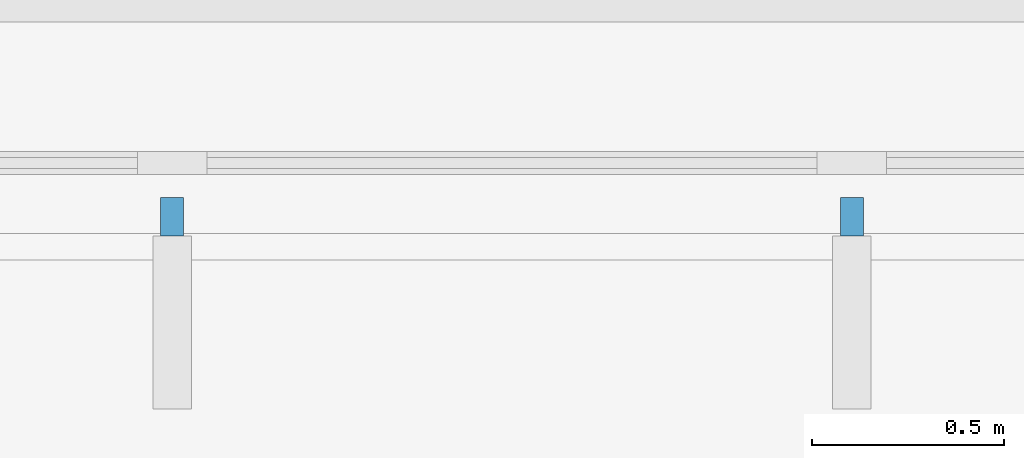
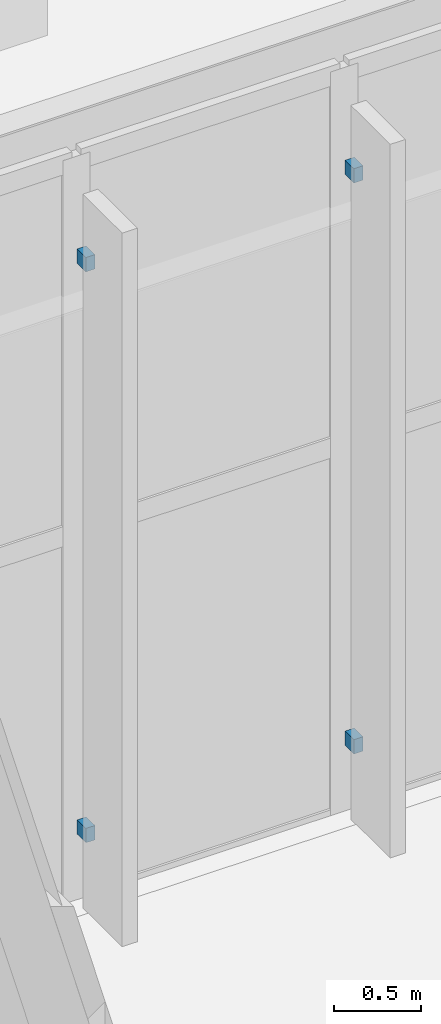
# One storey, part 74 of 94: 4 discrete accessories.
"""IFC4 building model written with IfcOpenShell, lengths in metres."""

from ifc_helpers import new_model, si_unit, direction, frame, origin, origin_2d, place, context, subcontext, project, spatial, rectangle, extrude, material, type_object, element, save


model = new_model("IFC4")

# Units and contexts
model_context = context("Model", 3, precision=1e-05, world=origin(), true_north=direction((0.0, 1.0)))
body_context = subcontext(model_context, "Body", "Model", "MODEL_VIEW")
ifc_project = project(units=[si_unit("LENGTHUNIT", "METRE"), si_unit("AREAUNIT", "SQUARE_METRE"), si_unit("VOLUMEUNIT", "CUBIC_METRE"), si_unit("PLANEANGLEUNIT", "RADIAN"), si_unit("MASSUNIT", "GRAM", prefix="KILO")], contexts=[model_context])

# Site, building, storey
site_placement = place(None, origin())
site = spatial("IfcSite", under=ifc_project, at=site_placement, CompositionType="ELEMENT")
building_placement = place(site_placement, origin())
building = spatial("IfcBuilding", under=site, at=building_placement, Name="Lunette Opera House", CompositionType="ELEMENT")
storey_placement = place(building_placement, frame((0.0, 0.0, 22.5)))
storey = spatial("IfcBuildingStorey", under=building, at=storey_placement, Name="L04", CompositionType="ELEMENT", Elevation=22.5)

# Discrete accessories
ifc_material = material(Name="Galvanised steel", Category="steel")
discrete_accessory_type = type_object("IfcDiscreteAccessoryType", Name="FIN BRACKET STEEL", PredefinedType="BRACKET", material=ifc_material)
for number, where, z_axis, x_axis, name in (
    (1, (36.133056640625, 72.04296875, 0.56494140625), (0.0, 0.0, 1.0), (0.0, -1.0, 0.0), "Fin bracket RW-X2057 1 1"),
    (2, (36.133056640625, 72.04296875, 4.550048828125), (0.0, 0.0, 1.0), (0.0, -1.0, 0.0), "Fin bracket RW-X2057 1 2"),
    (3, (37.902099609375, 72.04296875, 0.56494140625), (0.0, 0.0, 1.0), (0.0, -1.0, 0.0), "Fin bracket RW-X2057 2 1"),
    (4, (37.902099609375, 72.04296875, 4.550048828125), (0.0, 0.0, 1.0), (0.0, -1.0, 0.0), "Fin bracket RW-X2057 2 2"),
):
    element("IfcDiscreteAccessory", number, at=place(storey_placement, frame(where, z_axis=z_axis, x_axis=x_axis)), inside=storey, type_object=discrete_accessory_type, Name=name, PredefinedType="BRACKET", context=body_context, shape_type="SweptSolid", body=[
        extrude(rectangle(XDim=0.10009765625, YDim=0.06005859375, at=origin_2d()), origin(), (0.0, 0.0, 1.0), 0.10009765625),
    ])

save(model, "model.ifc")
